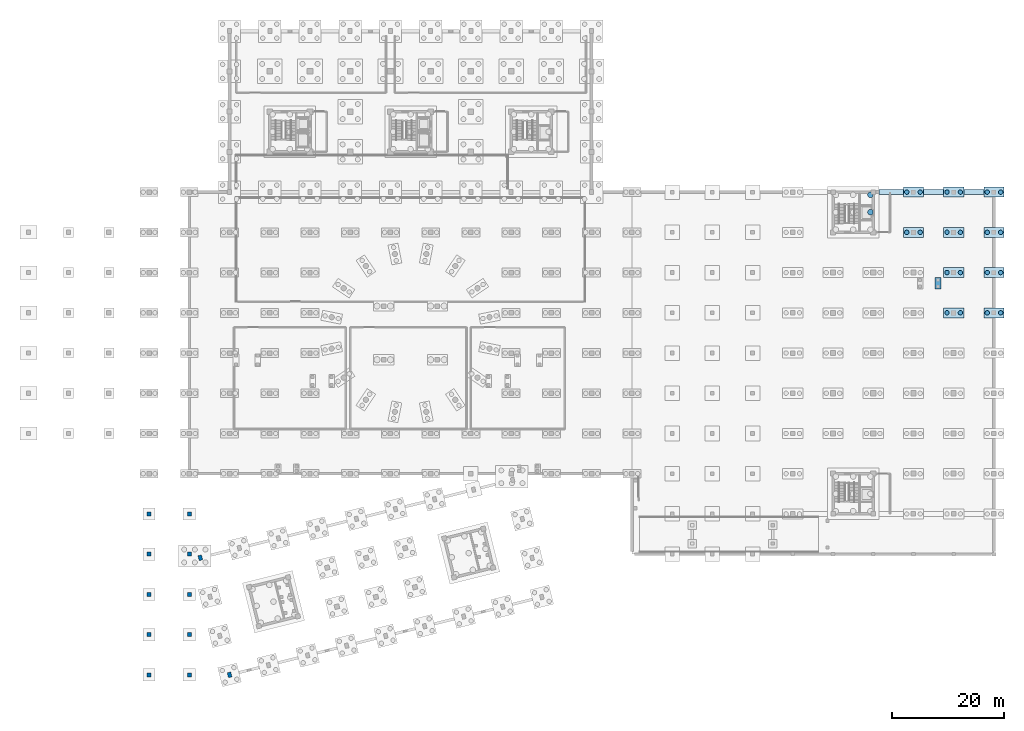
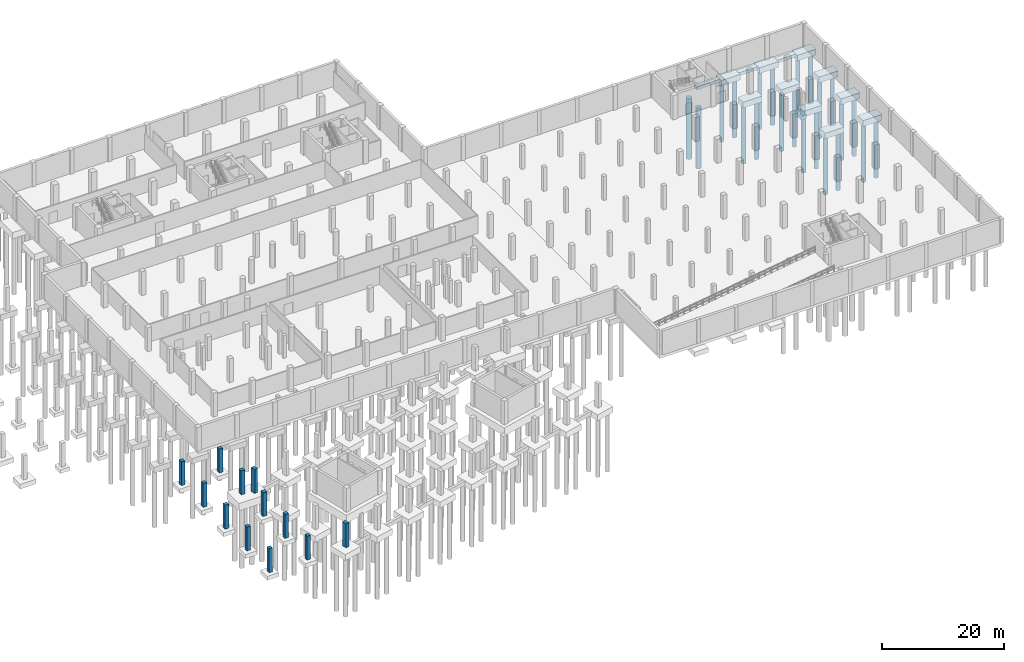
# One storey, part 6 of 19: 22 piles, 14 footings, 12 columns.
"""IFC4 building model written with IfcOpenShell, lengths in metres."""

from ifc_helpers import new_model, si_unit, direction, frame, origin, origin_2d, place, context, subcontext, project, spatial, rectangle, circle, extrude, material, material_profile, profile_set, type_object, element, save


model = new_model("IFC4")

# Units and contexts
model_context = context("Model", 3, precision=1e-05, world=origin(), true_north=direction((0.0, 1.0)))
body_context = subcontext(model_context, "Body", "Model", "MODEL_VIEW")
ifc_project = project(units=[si_unit("LENGTHUNIT", "METRE"), si_unit("AREAUNIT", "SQUARE_METRE"), si_unit("VOLUMEUNIT", "CUBIC_METRE"), si_unit("PLANEANGLEUNIT", "RADIAN"), si_unit("MASSUNIT", "GRAM", prefix="KILO")], contexts=[model_context])

# Site, building, storey
site_placement = place(None, origin())
site = spatial("IfcSite", under=ifc_project, at=site_placement, CompositionType="ELEMENT")
building_placement = place(site_placement, origin())
building = spatial("IfcBuilding", under=site, at=building_placement, Name="Qiaolan Assembly House", CompositionType="ELEMENT")
storey_placement = place(building_placement, frame((0.0, 0.0, -4.800048828125)))
storey = spatial("IfcBuildingStorey", under=building, at=storey_placement, Name="B1", CompositionType="ELEMENT", Elevation=-4.800048828125)

# Footings
ifc_material_1 = material(Name="Concrete C40/50", Category="concrete")
footing_type_1 = type_object("IfcFootingType", Name="FTG-PAD-3000x2400", PredefinedType="PAD_FOOTING", material=ifc_material_1)
footing_1_placement = place(storey_placement, frame((162.800048828125, 70.10009765625, -0.75), z_axis=(0.0, 0.0, 1.0), x_axis=(1.0, 0.0, 0.0)))
element("IfcFooting", 1, at=footing_1_placement, inside=storey, type_object=footing_type_1, Name="PF-04 library stair combined footing 2", PredefinedType="PAD_FOOTING", context=body_context, shape_type="SweptSolid", body=[
    extrude(rectangle(XDim=1.050048828125, YDim=2.0, at=origin_2d()), origin(), (0.0, 0.0, 1.0), 0.699951171875),
])
footing_type_2 = type_object("IfcFootingType", Name="FTG-PC-2P-3600x1800", PredefinedType="PILE_CAP", material=ifc_material_1)
for number, where, z_axis, x_axis, name in (
    (2, (158.39990234375, 79.199951171875, -1.89990234375), (0.0, 0.0, 1.0), (1.0, 0.0, 0.0), "PC-06 pile cap LB-03-07"),
    (3, (158.39990234375, 86.39990234375, -1.89990234375), (0.0, 0.0, 1.0), (1.0, 0.0, 0.0), "PC-06 pile cap LB-03-08"),
    (4, (165.60009765625, 64.800048828125, -1.89990234375), (0.0, 0.0, 1.0), (1.0, 0.0, 0.0), "PC-06 pile cap LB-04-05"),
    (5, (165.60009765625, 72.0, -1.89990234375), (0.0, 0.0, 1.0), (1.0, 0.0, 0.0), "PC-06 pile cap LB-04-06"),
    (6, (165.60009765625, 79.199951171875, -1.89990234375), (0.0, 0.0, 1.0), (1.0, 0.0, 0.0), "PC-06 pile cap LB-04-07"),
    (7, (165.60009765625, 86.39990234375, -1.89990234375), (0.0, 0.0, 1.0), (1.0, 0.0, 0.0), "PC-06 pile cap LB-04-08"),
    (8, (172.800048828125, 64.800048828125, -1.89990234375), (0.0, 0.0, 1.0), (1.0, 0.0, 0.0), "PC-06 pile cap LB-05-05"),
    (9, (172.800048828125, 72.0, -1.89990234375), (0.0, 0.0, 1.0), (1.0, 0.0, 0.0), "PC-06 pile cap LB-05-06"),
    (10, (172.800048828125, 79.199951171875, -1.89990234375), (0.0, 0.0, 1.0), (1.0, 0.0, 0.0), "PC-06 pile cap LB-05-07"),
    (11, (172.800048828125, 86.39990234375, -1.89990234375), (0.0, 0.0, 1.0), (1.0, 0.0, 0.0), "PC-06 pile cap LB-05-08"),
):
    element("IfcFooting", number, at=place(storey_placement, frame(where, z_axis=z_axis, x_axis=x_axis)), inside=storey, type_object=footing_type_2, Name=name, PredefinedType="PILE_CAP", context=body_context, shape_type="SweptSolid", body=[
        extrude(rectangle(XDim=3.60009765625, YDim=1.800048828125, at=origin_2d()), origin(), (0.0, 0.0, 1.0), 1.14990234375),
    ])
ifc_material_profile_1 = material_profile(ifc_material_1, rectangle(XDim=0.89990234375, YDim=0.60009765625, at=origin_2d()), Name="SF 900x600")
ifc_profile_set_1 = profile_set([ifc_material_profile_1], Name="Concrete C40/50")
footing_type_3 = type_object("IfcFootingType", Name="FTG-STRIP-900x600", PredefinedType="STRIP_FOOTING", material=ifc_profile_set_1)
footing_2_placement = place(storey_placement, frame((152.202880859375, 86.39990234375, -1.050048828125), z_axis=(1.0, 0.0, 0.0), x_axis=(0.0, 1.0, 0.0)))
element("IfcFooting", 12, at=footing_2_placement, inside=storey, type_object=footing_type_3, Name="SF-01 strip footing beam LIB-2", PredefinedType="STRIP_FOOTING", context=body_context, shape_type="SweptSolid", body=[
    extrude(rectangle(XDim=0.89990234375, YDim=0.60009765625, at=origin_2d()), origin(), (0.0, 0.0, 1.0), 4.39404296875),
])
footing_3_placement = place(storey_placement, frame((160.202880859375, 86.39990234375, -1.050048828125), z_axis=(1.0, 0.0, 0.0), x_axis=(0.0, 1.0, 0.0)))
element("IfcFooting", 13, at=footing_3_placement, inside=storey, type_object=footing_type_3, Name="SF-01 strip footing beam LIB-3", PredefinedType="STRIP_FOOTING", context=body_context, shape_type="SweptSolid", body=[
    extrude(rectangle(XDim=0.89990234375, YDim=0.60009765625, at=origin_2d()), origin(), (0.0, 0.0, 1.0), 3.59423828125),
])
footing_4_placement = place(storey_placement, frame((167.403076171875, 86.39990234375, -1.050048828125), z_axis=(1.0, 0.0, 0.0), x_axis=(0.0, 1.0, 0.0)))
element("IfcFooting", 14, at=footing_4_placement, inside=storey, type_object=footing_type_3, Name="SF-01 strip footing beam LIB-4", PredefinedType="STRIP_FOOTING", context=body_context, shape_type="SweptSolid", body=[
    extrude(rectangle(XDim=0.89990234375, YDim=0.60009765625, at=origin_2d()), origin(), (0.0, 0.0, 1.0), 3.593994140625),
])

# Piles
ifc_material_2 = material(Name="Concrete C45/55", Category="concrete")
ifc_material_profile_2 = material_profile(ifc_material_2, circle(Radius=0.5, at=origin_2d()), Name="PILE D1000")
ifc_profile_set_2 = profile_set([ifc_material_profile_2], Name="Concrete C45/55")
pile_type_1 = type_object("IfcPileType", Name="PILE-BORED-D1000", PredefinedType="BORED", material=ifc_profile_set_2)
for number, where, z_axis, x_axis, name in (
    (15, (150.699951171875, 82.800048828125, -2.25), (0.0, 0.0, -1.0), (1.0, 0.0, 0.0), "BP-03 rock-socketed pile CORE-F-8"),
    (16, (150.699951171875, 85.89990234375, -2.25), (0.0, 0.0, -1.0), (1.0, 0.0, 0.0), "BP-03 rock-socketed pile CORE-F-9"),
):
    element("IfcPile", number, at=place(storey_placement, frame(where, z_axis=z_axis, x_axis=x_axis)), inside=storey, type_object=pile_type_1, Name=name, PredefinedType="BORED", context=body_context, shape_type="SweptSolid", body=[
        extrude(circle(Radius=0.5, at=origin_2d()), origin(), (0.0, 0.0, 1.0), 12.199951171875),
    ])
ifc_material_profile_3 = material_profile(ifc_material_2, circle(Radius=0.39990234375, at=origin_2d()), Name="PILE D800")
ifc_profile_set_3 = profile_set([ifc_material_profile_3], Name="Concrete C45/55")
pile_type_2 = type_object("IfcPileType", Name="PILE-BORED-D800", PredefinedType="BORED", material=ifc_profile_set_3)
for number, where, z_axis, x_axis, name in (
    (17, (157.199951171875, 79.199951171875, -1.800048828125), (0.0, 0.0, -1.0), (1.0, 0.0, 0.0), "BP-01 rock-socketed pile LB-03-07-1"),
    (18, (159.60009765625, 79.199951171875, -1.800048828125), (0.0, 0.0, -1.0), (1.0, 0.0, 0.0), "BP-01 rock-socketed pile LB-03-07-2"),
    (19, (157.199951171875, 86.39990234375, -1.800048828125), (0.0, 0.0, -1.0), (1.0, 0.0, 0.0), "BP-01 rock-socketed pile LB-03-08-1"),
    (20, (159.60009765625, 86.39990234375, -1.800048828125), (0.0, 0.0, -1.0), (1.0, 0.0, 0.0), "BP-01 rock-socketed pile LB-03-08-2"),
    (21, (164.39990234375, 64.800048828125, -1.800048828125), (0.0, 0.0, -1.0), (1.0, 0.0, 0.0), "BP-01 rock-socketed pile LB-04-05-1"),
    (22, (166.800048828125, 64.800048828125, -1.800048828125), (0.0, 0.0, -1.0), (1.0, 0.0, 0.0), "BP-01 rock-socketed pile LB-04-05-2"),
    (23, (164.39990234375, 72.0, -1.800048828125), (0.0, 0.0, -1.0), (1.0, 0.0, 0.0), "BP-01 rock-socketed pile LB-04-06-1"),
    (24, (166.800048828125, 72.0, -1.800048828125), (0.0, 0.0, -1.0), (1.0, 0.0, 0.0), "BP-01 rock-socketed pile LB-04-06-2"),
    (25, (164.39990234375, 79.199951171875, -1.800048828125), (0.0, 0.0, -1.0), (1.0, 0.0, 0.0), "BP-01 rock-socketed pile LB-04-07-1"),
    (26, (166.800048828125, 79.199951171875, -1.800048828125), (0.0, 0.0, -1.0), (1.0, 0.0, 0.0), "BP-01 rock-socketed pile LB-04-07-2"),
    (27, (164.39990234375, 86.39990234375, -1.800048828125), (0.0, 0.0, -1.0), (1.0, 0.0, 0.0), "BP-01 rock-socketed pile LB-04-08-1"),
    (28, (166.800048828125, 86.39990234375, -1.800048828125), (0.0, 0.0, -1.0), (1.0, 0.0, 0.0), "BP-01 rock-socketed pile LB-04-08-2"),
    (29, (171.60009765625, 64.800048828125, -1.800048828125), (0.0, 0.0, -1.0), (1.0, 0.0, 0.0), "BP-01 rock-socketed pile LB-05-05-1"),
    (30, (174.0, 64.800048828125, -1.800048828125), (0.0, 0.0, -1.0), (1.0, 0.0, 0.0), "BP-01 rock-socketed pile LB-05-05-2"),
    (31, (171.60009765625, 72.0, -1.800048828125), (0.0, 0.0, -1.0), (1.0, 0.0, 0.0), "BP-01 rock-socketed pile LB-05-06-1"),
    (32, (174.0, 72.0, -1.800048828125), (0.0, 0.0, -1.0), (1.0, 0.0, 0.0), "BP-01 rock-socketed pile LB-05-06-2"),
    (33, (171.60009765625, 79.199951171875, -1.800048828125), (0.0, 0.0, -1.0), (1.0, 0.0, 0.0), "BP-01 rock-socketed pile LB-05-07-1"),
    (34, (174.0, 79.199951171875, -1.800048828125), (0.0, 0.0, -1.0), (1.0, 0.0, 0.0), "BP-01 rock-socketed pile LB-05-07-2"),
    (35, (171.60009765625, 86.39990234375, -1.800048828125), (0.0, 0.0, -1.0), (1.0, 0.0, 0.0), "BP-01 rock-socketed pile LB-05-08-1"),
    (36, (174.0, 86.39990234375, -1.800048828125), (0.0, 0.0, -1.0), (1.0, 0.0, 0.0), "BP-01 rock-socketed pile LB-05-08-2"),
):
    element("IfcPile", number, at=place(storey_placement, frame(where, z_axis=z_axis, x_axis=x_axis)), inside=storey, type_object=pile_type_2, Name=name, PredefinedType="BORED", context=body_context, shape_type="SweptSolid", body=[
        extrude(circle(Radius=0.39990234375, at=origin_2d()), origin(), (0.0, 0.0, 1.0), 11.800048828125),
    ])

# Columns
ifc_material_profile_4 = material_profile(ifc_material_1, rectangle(XDim=0.699951171875, YDim=0.699951171875, at=origin_2d()), Name="RC 700x700")
ifc_profile_set_4 = profile_set([ifc_material_profile_4], Name="Concrete C40/50")
column_type_1 = type_object("IfcColumnType", Name="COL-RC-700", PredefinedType="COLUMN", material=ifc_profile_set_4)
for number, where, z_axis, x_axis, name in (
    (37, (21.60009765625, 0.0, 0.0), (0.0, 0.0, 1.0), (1.0, 0.0, 0.0), "RC-07 passage colonnade column B1"),
    (38, (21.60009765625, 7.199951171875, 0.0), (0.0, 0.0, 1.0), (1.0, 0.0, 0.0), "RC-07 passage colonnade column B1"),
    (39, (21.60009765625, 14.39990234375, 0.0), (0.0, 0.0, 1.0), (1.0, 0.0, 0.0), "RC-07 passage colonnade column B1"),
    (40, (21.60009765625, 21.60009765625, 0.0), (0.0, 0.0, 1.0), (1.0, 0.0, 0.0), "RC-07 passage colonnade column B1"),
    (41, (21.60009765625, 28.800048828125, 0.0), (0.0, 0.0, 1.0), (1.0, 0.0, 0.0), "RC-07 passage colonnade column B1"),
    (42, (28.800048828125, 0.0, 0.0), (0.0, 0.0, 1.0), (1.0, 0.0, 0.0), "RC-07 passage colonnade column B1"),
    (43, (28.800048828125, 7.199951171875, 0.0), (0.0, 0.0, 1.0), (1.0, 0.0, 0.0), "RC-07 passage colonnade column B1"),
    (44, (28.800048828125, 14.39990234375, 0.0), (0.0, 0.0, 1.0), (1.0, 0.0, 0.0), "RC-07 passage colonnade column B1"),
    (45, (28.800048828125, 21.60009765625, 0.0), (0.0, 0.0, 1.0), (1.0, 0.0, 0.0), "RC-07 passage colonnade column B1"),
    (46, (28.800048828125, 28.800048828125, 0.0), (0.0, 0.0, 1.0), (1.0, 0.0, 0.0), "RC-07 passage colonnade column B1"),
):
    element("IfcColumn", number, at=place(storey_placement, frame(where, z_axis=z_axis, x_axis=x_axis)), inside=storey, type_object=column_type_1, Name=name, PredefinedType="COLUMN", context=body_context, shape_type="SweptSolid", body=[
        extrude(rectangle(XDim=0.699951171875, YDim=0.699951171875, at=origin_2d()), origin(), (0.0, 0.0, 1.0), 4.800048828125),
    ])
ifc_material_3 = material(Name="Concrete C50/60", Category="concrete")
ifc_material_profile_5 = material_profile(ifc_material_3, rectangle(XDim=0.64990234375, YDim=0.89990234375, at=origin_2d()), Name="RC 900x650")
ifc_profile_set_5 = profile_set([ifc_material_profile_5], Name="Concrete C50/60")
column_type_2 = type_object("IfcColumnType", Name="COL-RC-900x650", PredefinedType="COLUMN", material=ifc_profile_set_5)
for number, where, z_axis, x_axis, name in (
    (47, (36.0, 0.0, 0.0), (0.0, 0.0, 1.0), (0.970295726276, 0.2419218956, 0.0), "RC-12 splayed column SE B1"),
    (48, (30.7744140625, 20.95849609375, 0.0), (0.0, 0.0, 1.0), (0.970295726276, 0.2419218956, 0.0), "RC-12 splayed column SE B1"),
):
    element("IfcColumn", number, at=place(storey_placement, frame(where, z_axis=z_axis, x_axis=x_axis)), inside=storey, type_object=column_type_2, Name=name, PredefinedType="COLUMN", context=body_context, shape_type="SweptSolid", body=[
        extrude(rectangle(XDim=0.64990234375, YDim=0.89990234375, at=origin_2d()), origin(), (0.0, 0.0, 1.0), 4.800048828125),
    ])

save(model, "model.ifc")
